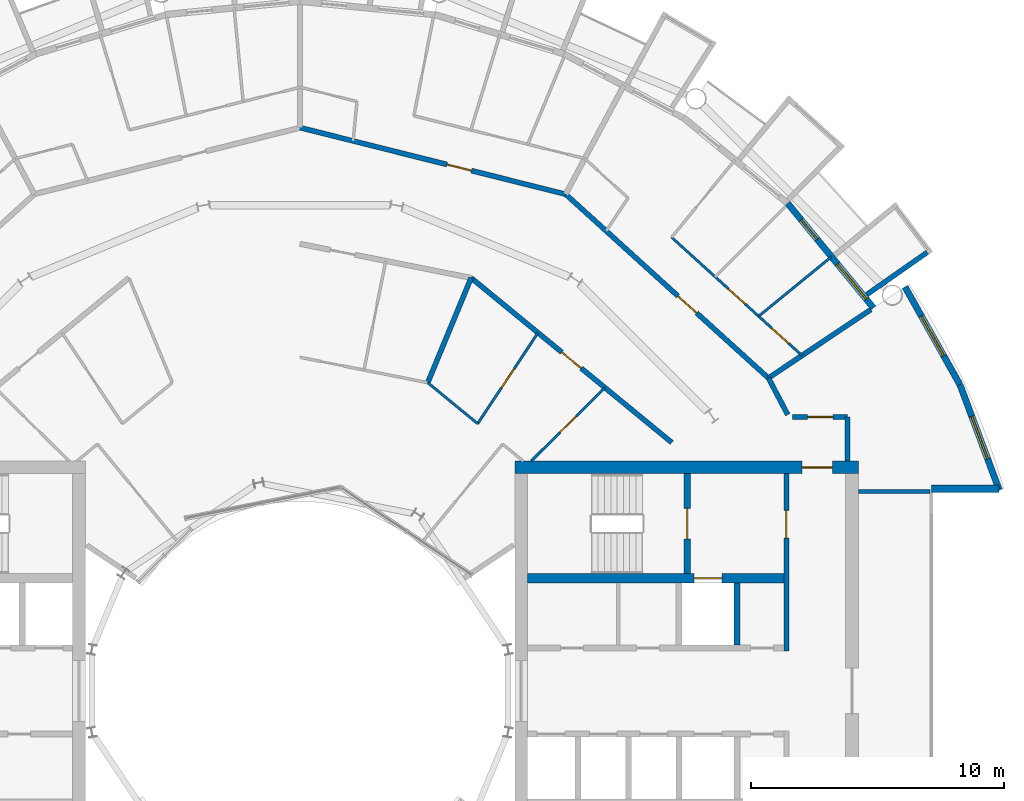
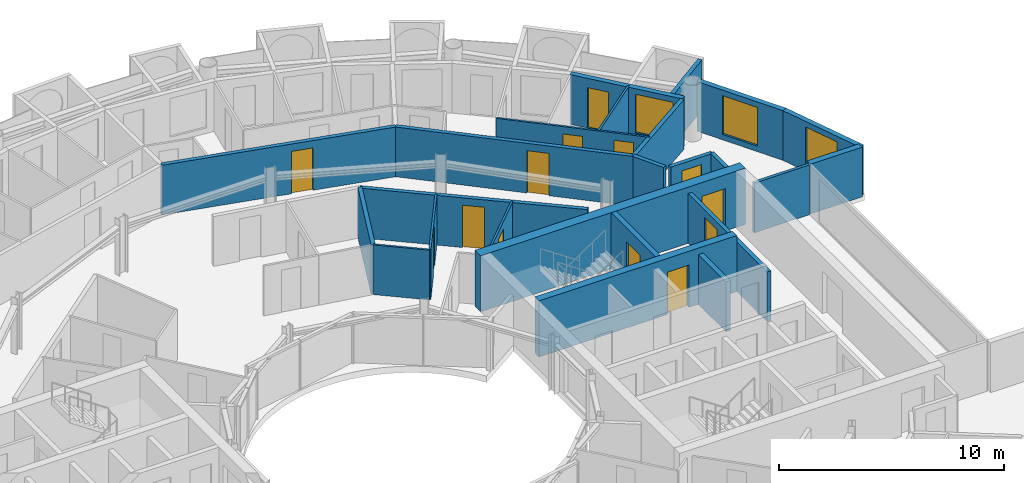
# One storey, part 22 of 27: 24 walls, 13 doors, 3 windows, 16 openings.
"""IFC4 building model written with IfcOpenShell, lengths in metres."""

from ifc_helpers import new_model, si_unit, direction, frame, frame_2d, origin, place, context, subcontext, project, spatial, rectangle, extrude, material, layer, layer_set, type_object, element, fill, save


model = new_model("IFC4")

# Units and contexts
model_context = context("Model", 3, precision=1e-05, world=origin(), true_north=direction((0.0, 1.0)))
body_context = subcontext(model_context, "Body", "Model", "MODEL_VIEW")
ifc_project = project(units=[si_unit("LENGTHUNIT", "METRE"), si_unit("AREAUNIT", "SQUARE_METRE"), si_unit("VOLUMEUNIT", "CUBIC_METRE"), si_unit("PLANEANGLEUNIT", "RADIAN"), si_unit("MASSUNIT", "GRAM", prefix="KILO")], contexts=[model_context])

# Site, building, storey
site_placement = place(None, origin())
site = spatial("IfcSite", under=ifc_project, at=site_placement, CompositionType="ELEMENT")
building_placement = place(site_placement, origin())
building = spatial("IfcBuilding", under=site, at=building_placement, Name="Maasbend Ring Residences", CompositionType="ELEMENT")
storey_placement = place(building_placement, frame((0.0, 0.0, 164.64990234375)))
storey = spatial("IfcBuildingStorey", under=building, at=storey_placement, Name="L47", CompositionType="ELEMENT", Elevation=164.64990234375)

# Wall, opening, door
ifc_material_1 = material(Name="Concrete C60/75", Category="concrete")
ifc_layer_1 = layer(ifc_material_1, 0.25)
ifc_layer_set_1 = layer_set([ifc_layer_1], Name="Concrete C60/75")
wall_type_1 = type_object("IfcWallType", Name="CORE WALL 250 C60/75", PredefinedType="SHEAR", material=ifc_layer_set_1)
wall_1_placement = place(storey_placement, frame((15.324951171875, 4.64990234375, 0.0), z_axis=(0.0, 0.0, 1.0), x_axis=(0.0, 1.0, 0.0)))
wall_1 = element("IfcWall", 1, at=wall_1_placement, inside=storey, type_object=wall_type_1, Name="L47 core E wall STEN", PredefinedType="SHEAR", context=body_context, shape_type="SweptSolid", body=[
    extrude(rectangle(XDim=3.9501953125, YDim=0.25, at=frame_2d((1.97509765625, 0.0))), origin(), (0.0, 0.0, 1.0), 3.050048828125),
])
opening_1_placement = place(wall_1_placement, frame((1.375, 0.0, 0.0)))
opening_1 = element("IfcOpeningElement", 2, at=opening_1_placement, cuts=wall_1, Name="Opening D-E4711", PredefinedType="OPENING", context=body_context, shape_type="SweptSolid", body=[
    extrude(rectangle(XDim=1.199951171875, YDim=2.300048828125, at=frame_2d((0.60009765625, 1.14990234375))), frame((0.0, 0.135009765625, 0.0), z_axis=(0.0, -1.0, 0.0), x_axis=(1.0, 0.0, 0.0)), (0.0, 0.0, 1.0), 0.27001953125),
])
ifc_material_2 = material(Name="Steel, powder coated", Category="steel")
door_type_1 = type_object("IfcDoorType", Name="STAIR DOOR 1200 X 2300 FD60", OperationType="NOTDEFINED", PredefinedType="DOOR", material=ifc_material_2)
door_1_placement = place(opening_1_placement, origin())
door_1 = element("IfcDoor", 3, at=door_1_placement, inside=storey, type_object=door_type_1, Name="Stair door ST-E L47", OperationType="SINGLE_SWING_LEFT", OverallHeight=2.300048828125, OverallWidth=1.199951171875, PredefinedType="DOOR", context=body_context, shape_type="SweptSolid", body=[
    extrude(rectangle(XDim=1.199951171875, YDim=2.300048828125, at=frame_2d((0.60009765625, 1.14990234375))), frame((0.0, 0.02490234375, 0.0), z_axis=(0.0, -1.0, 0.0), x_axis=(1.0, 0.0, 0.0)), (0.0, 0.0, 1.0), 0.050048828125),
])
fill(opening_1, door_1)

ifc_material_3 = material(Name="Concrete C60/75", Category="concrete")
ifc_layer_2 = layer(ifc_material_3, 0.375)
ifc_layer_set_2 = layer_set([ifc_layer_2], Name="Concrete C60/75")
wall_type_2 = type_object("IfcWallType", Name="CORE WALL 375 C60/75", PredefinedType="SHEAR", material=ifc_layer_set_2)
wall_2_placement = place(storey_placement, frame((9.0, 4.46240234375, 0.0), z_axis=(0.0, 0.0, 1.0), x_axis=(1.0, 0.0, 0.0)))
wall_2 = element("IfcWall", 4, at=wall_2_placement, inside=storey, type_object=wall_type_2, Name="L47 core E wall BN", PredefinedType="SHEAR", context=body_context, shape_type="SweptSolid", body=[
    extrude(rectangle(XDim=10.14990234375, YDim=0.375, at=frame_2d((5.074951171875, 0.0))), origin(), (0.0, 0.0, 1.0), 3.050048828125),
])
opening_2_placement = place(wall_2_placement, frame((6.60009765625, 0.0, 0.0)))
opening_2 = element("IfcOpeningElement", 5, at=opening_2_placement, cuts=wall_2, Name="Opening LD-E4701", PredefinedType="OPENING", context=body_context, shape_type="SweptSolid", body=[
    extrude(rectangle(XDim=1.10009765625, YDim=2.300048828125, at=frame_2d((0.550048828125, 1.14990234375))), frame((0.0, 0.197509765625, 0.0), z_axis=(0.0, -1.0, 0.0), x_axis=(1.0, 0.0, 0.0)), (0.0, 0.0, 1.0), 0.39501953125),
])
ifc_material_4 = material(Name="Stainless steel 316", Category="steel")
door_type_2 = type_object("IfcDoorType", Name="LANDING DOOR 1100 X 2300 FD60", OperationType="DOUBLE_DOOR_SLIDING", PredefinedType="DOOR", material=ifc_material_4)
door_2_placement = place(opening_2_placement, origin())
door_2 = element("IfcDoor", 6, at=door_2_placement, inside=storey, type_object=door_type_2, Name="Landing door FF-E L47", OperationType="DOUBLE_DOOR_SLIDING", OverallHeight=2.300048828125, OverallWidth=1.10009765625, PredefinedType="DOOR", context=body_context, shape_type="SweptSolid", body=[
    extrude(rectangle(XDim=1.10009765625, YDim=2.300048828125, at=frame_2d((0.550048828125, 1.14990234375))), frame((0.0, 0.02490234375, 0.0), z_axis=(0.0, -1.0, 0.0), x_axis=(1.0, 0.0, 0.0)), (0.0, 0.0, 1.0), 0.050048828125),
])
fill(opening_2, door_2)

ifc_material_5 = material(Name="Concrete C60/75", Category="concrete")
ifc_layer_3 = layer(ifc_material_5, 0.5)
ifc_layer_set_3 = layer_set([ifc_layer_3], Name="Concrete C60/75")
wall_type_3 = type_object("IfcWallType", Name="CORE WALL 500 C60/75", PredefinedType="SHEAR", material=ifc_layer_set_3)
wall_3_placement = place(storey_placement, frame((22.10009765625, 8.85009765625, 0.0), z_axis=(0.0, 0.0, 1.0), x_axis=(-1.0, 0.0, 0.0)))
wall_3 = element("IfcWall", 7, at=wall_3_placement, inside=storey, type_object=wall_type_3, Name="L47 core E wall PN", PredefinedType="SHEAR", context=body_context, shape_type="SweptSolid", body=[
    extrude(rectangle(XDim=13.60009765625, YDim=0.5, at=frame_2d((6.800048828125, 0.0))), origin(), (0.0, 0.0, 1.0), 3.050048828125),
])
opening_3_placement = place(wall_3_placement, frame((1.02490234375, 0.0, 0.0)))
opening_3 = element("IfcOpeningElement", 8, at=opening_3_placement, cuts=wall_3, Name="Opening D-E4715", PredefinedType="OPENING", context=body_context, shape_type="SweptSolid", body=[
    extrude(rectangle(XDim=1.199951171875, YDim=2.300048828125, at=frame_2d((0.60009765625, 1.14990234375))), frame((0.0, 0.260009765625, 0.0), z_axis=(0.0, -1.0, 0.0), x_axis=(1.0, 0.0, 0.0)), (0.0, 0.0, 1.0), 0.52001953125),
])
ifc_material_6 = material(Name="Steel, powder coated", Category="steel")
door_type_3 = type_object("IfcDoorType", Name="CORRIDOR DOOR 1200 X 2300 FD30S", OperationType="NOTDEFINED", PredefinedType="DOOR", material=ifc_material_6)
door_3_placement = place(opening_3_placement, origin())
door_3 = element("IfcDoor", 9, at=door_3_placement, inside=storey, type_object=door_type_3, Name="Corridor door L47", OperationType="SINGLE_SWING_RIGHT", OverallHeight=2.300048828125, OverallWidth=1.199951171875, PredefinedType="DOOR", context=body_context, shape_type="SweptSolid", body=[
    extrude(rectangle(XDim=1.199951171875, YDim=2.300048828125, at=frame_2d((0.60009765625, 1.14990234375))), frame((0.0, 0.02490234375, 0.0), z_axis=(0.0, -1.0, 0.0), x_axis=(1.0, 0.0, 0.0)), (0.0, 0.0, 1.0), 0.050048828125),
])
fill(opening_3, door_3)

# Wall
ifc_material_7 = material(Name="Concrete C30/37", Category="concrete")
ifc_layer_4 = layer(ifc_material_7, 0.199951171875)
ifc_layer_set_4 = layer_set([ifc_layer_4], Name="Concrete C30/37")
wall_type_4 = type_object("IfcWallType", Name="CORRIDOR WALL 200 CONCRETE", PredefinedType="PARTITIONING", material=ifc_layer_set_4)
wall_4_placement = place(storey_placement, frame((21.675048828125, 9.10009765625, 0.0), z_axis=(0.0, 0.0, 1.0), x_axis=(0.0, 1.0, 0.0)))
element("IfcWall", 10, at=wall_4_placement, inside=storey, type_object=wall_type_4, Name="U-L47-w012", PredefinedType="PARTITIONING", context=body_context, shape_type="SweptSolid", body=[
    extrude(rectangle(XDim=1.75, YDim=0.199951171875, at=frame_2d((0.875, 0.0))), origin(), (0.0, 0.0, 1.0), 2.7001953125),
])

# Wall, opening, door
wall_5_placement = place(storey_placement, frame((19.50390625, 10.85009765625, 0.0), z_axis=(0.0, 0.0, 1.0), x_axis=(1.0, 0.0, 0.0)))
wall_5 = element("IfcWall", 11, at=wall_5_placement, inside=storey, type_object=wall_type_4, Name="U-L47-w095", PredefinedType="PARTITIONING", context=body_context, shape_type="SweptSolid", body=[
    extrude(rectangle(XDim=2.171142578125, YDim=0.199951171875, at=frame_2d((1.08544921875, 0.0))), origin(), (0.0, 0.0, 1.0), 2.7001953125),
])
opening_4_placement = place(wall_5_placement, frame((0.5849609375, 0.0, 0.0)))
opening_4 = element("IfcOpeningElement", 12, at=opening_4_placement, cuts=wall_5, Name="Opening D-4769", PredefinedType="OPENING", context=body_context, shape_type="SweptSolid", body=[
    extrude(rectangle(XDim=1.0, YDim=2.300048828125, at=frame_2d((0.5, 1.14990234375))), frame((0.0, 0.10986328125, 0.0), z_axis=(0.0, -1.0, 0.0), x_axis=(1.0, 0.0, 0.0)), (0.0, 0.0, 1.0), 0.219970703125),
])
ifc_material_8 = material(Name="Timber, painted", Category="wood")
door_type_4 = type_object("IfcDoorType", Name="ROOM DOOR 1000 X 2300", OperationType="NOTDEFINED", PredefinedType="DOOR", material=ifc_material_8)
door_4_placement = place(opening_4_placement, origin())
door_4 = element("IfcDoor", 13, at=door_4_placement, inside=storey, type_object=door_type_4, Name="D-4769", OperationType="SINGLE_SWING_LEFT", OverallHeight=2.300048828125, OverallWidth=1.0, PredefinedType="DOOR", context=body_context, shape_type="SweptSolid", body=[
    extrude(rectangle(XDim=1.0, YDim=2.300048828125, at=frame_2d((0.5, 1.14990234375))), frame((0.0, 0.02490234375, 0.0), z_axis=(0.0, -1.0, 0.0), x_axis=(1.0, 0.0, 0.0)), (0.0, 0.0, 1.0), 0.050048828125),
])
fill(opening_4, door_4)

wall_6_placement = place(storey_placement, frame((6.77294921875, 16.35302734375, 0.0), z_axis=(0.0, 0.0, 1.0), x_axis=(0.773034536097, -0.634363938131, 0.0)))
wall_6 = element("IfcWall", 14, at=wall_6_placement, inside=storey, type_object=wall_type_4, Name="U-L47-w102", PredefinedType="PARTITIONING", context=body_context, shape_type="SweptSolid", body=[
    extrude(rectangle(XDim=10.276611328125, YDim=0.199951171875, at=frame_2d((5.13818359375, 0.0))), origin(), (0.0, 0.0, 1.0), 2.7001953125),
])
opening_5_placement = place(wall_6_placement, frame((4.637939453125, 0.0, 0.0)))
opening_5 = element("IfcOpeningElement", 15, at=opening_5_placement, cuts=wall_6, Name="Opening D-4721", PredefinedType="OPENING", context=body_context, shape_type="SweptSolid", body=[
    extrude(rectangle(XDim=1.0, YDim=2.300048828125, at=frame_2d((0.5, 1.14990234375))), frame((0.0, 0.10986328125, 0.0), z_axis=(0.0, -1.0, 0.0), x_axis=(1.0, 0.0, 0.0)), (0.0, 0.0, 1.0), 0.219970703125),
])
ifc_material_9 = material(Name="Timber, fire-rated, painted", Category="wood")
door_type_5 = type_object("IfcDoorType", Name="FLAT ENTRANCE DOOR 1000 X 2300 FIRE-RATED", OperationType="NOTDEFINED", PredefinedType="DOOR", material=ifc_material_9)
door_5_placement = place(opening_5_placement, origin())
door_5 = element("IfcDoor", 16, at=door_5_placement, inside=storey, type_object=door_type_5, Name="D-4721", OperationType="SINGLE_SWING_RIGHT", OverallHeight=2.300048828125, OverallWidth=1.0, PredefinedType="DOOR", context=body_context, shape_type="SweptSolid", body=[
    extrude(rectangle(XDim=1.0, YDim=2.300048828125, at=frame_2d((0.5, 1.14990234375))), frame((0.0, 0.02490234375, 0.0), z_axis=(0.0, -1.0, 0.0), x_axis=(1.0, 0.0, 0.0)), (0.0, 0.0, 1.0), 0.050048828125),
])
fill(opening_5, door_5)

wall_7_placement = place(storey_placement, frame((0.0, 22.300048828125, 0.0), z_axis=(0.0, 0.0, 1.0), x_axis=(0.969975381822, -0.243203122222, 0.0)))
wall_7 = element("IfcWall", 17, at=wall_7_placement, inside=storey, type_object=wall_type_4, Name="U-L47-w106", PredefinedType="PARTITIONING", context=body_context, shape_type="SweptSolid", body=[
    extrude(rectangle(XDim=10.842529296875, YDim=0.199951171875, at=frame_2d((5.42138671875, 0.0))), origin(), (0.0, 0.0, 1.0), 2.7001953125),
])
opening_6_placement = place(wall_7_placement, frame((6.001953125, 0.0, 0.0)))
opening_6 = element("IfcOpeningElement", 18, at=opening_6_placement, cuts=wall_7, Name="Opening D-4706", PredefinedType="OPENING", context=body_context, shape_type="SweptSolid", body=[
    extrude(rectangle(XDim=1.0, YDim=2.300048828125, at=frame_2d((0.5, 1.14990234375))), frame((0.0, 0.10986328125, 0.0), z_axis=(0.0, -1.0, 0.0), x_axis=(1.0, 0.0, 0.0)), (0.0, 0.0, 1.0), 0.219970703125),
])
door_6_placement = place(opening_6_placement, origin())
door_6 = element("IfcDoor", 19, at=door_6_placement, inside=storey, type_object=door_type_5, Name="D-4706", OperationType="SINGLE_SWING_RIGHT", OverallHeight=2.300048828125, OverallWidth=1.0, PredefinedType="DOOR", context=body_context, shape_type="SweptSolid", body=[
    extrude(rectangle(XDim=1.0, YDim=2.300048828125, at=frame_2d((0.5, 1.14990234375))), frame((0.0, 0.02490234375, 0.0), z_axis=(0.0, -1.0, 0.0), x_axis=(1.0, 0.0, 0.0)), (0.0, 0.0, 1.0), 0.050048828125),
])
fill(opening_6, door_6)

wall_8_placement = place(storey_placement, frame((10.511962890625, 19.6669921875, 0.0), z_axis=(0.0, 0.0, 1.0), x_axis=(0.740849323054, -0.67167125927, 0.0)))
wall_8 = element("IfcWall", 20, at=wall_8_placement, inside=storey, type_object=wall_type_4, Name="U-L47-w107", PredefinedType="PARTITIONING", context=body_context, shape_type="SweptSolid", body=[
    extrude(rectangle(XDim=10.841552734375, YDim=0.199951171875, at=frame_2d((5.4208984375, 0.0))), origin(), (0.0, 0.0, 1.0), 2.7001953125),
])
opening_7_placement = place(wall_8_placement, frame((6.0029296875, 0.0, 0.0)))
opening_7 = element("IfcOpeningElement", 21, at=opening_7_placement, cuts=wall_8, Name="Opening D-4701", PredefinedType="OPENING", context=body_context, shape_type="SweptSolid", body=[
    extrude(rectangle(XDim=1.0, YDim=2.300048828125, at=frame_2d((0.5, 1.14990234375))), frame((0.0, 0.10986328125, 0.0), z_axis=(0.0, -1.0, 0.0), x_axis=(1.0, 0.0, 0.0)), (0.0, 0.0, 1.0), 0.219970703125),
])
door_7_placement = place(opening_7_placement, origin())
door_7 = element("IfcDoor", 22, at=door_7_placement, inside=storey, type_object=door_type_5, Name="D-4701", OperationType="SINGLE_SWING_RIGHT", OverallHeight=2.300048828125, OverallWidth=1.0, PredefinedType="DOOR", context=body_context, shape_type="SweptSolid", body=[
    extrude(rectangle(XDim=1.0, YDim=2.300048828125, at=frame_2d((0.5, 1.14990234375))), frame((0.0, 0.02490234375, 0.0), z_axis=(0.0, -1.0, 0.0), x_axis=(1.0, 0.0, 0.0)), (0.0, 0.0, 1.0), 0.050048828125),
])
fill(opening_7, door_7)

# Walls
wall_9_placement = place(storey_placement, frame((18.5419921875, 12.388916015625, 0.0), z_axis=(0.0, 0.0, 1.0), x_axis=(0.465605550524, -0.884992356646, 0.0)))
element("IfcWall", 23, at=wall_9_placement, inside=storey, type_object=wall_type_4, Name="U-L47-w111", PredefinedType="PARTITIONING", context=body_context, shape_type="SweptSolid", body=[
    extrude(rectangle(XDim=1.642822265625, YDim=0.199951171875, at=frame_2d((0.8212890625, 0.0))), origin(), (0.0, 0.0, 1.0), 2.7001953125),
])
ifc_material_10 = material(Name="Pale anodised aluminium panel", Category="aluminium")
ifc_layer_5 = layer(ifc_material_10, 0.199951171875)
ifc_layer_set_5 = layer_set([ifc_layer_5], Name="EW-BOX")
wall_type_5 = type_object("IfcWallType", Name="EW-BOX", PredefinedType="SOLIDWALL", material=ifc_layer_set_5)
wall_10_placement = place(storey_placement, frame((22.43310546875, 15.68798828125, -0.02978515625), z_axis=(0.0, 0.0, 1.0), x_axis=(0.819373043115, 0.573260687834, 0.0)))
element("IfcWall", 24, at=wall_10_placement, inside=storey, type_object=wall_type_5, Name="Box side wall N01 left", PredefinedType="SOLIDWALL", context=body_context, shape_type="SweptSolid", body=[
    extrude(rectangle(XDim=2.92529296875, YDim=0.199951171875, at=frame_2d((1.462646484375, 0.0))), origin(), (0.0, 0.0, 1.0), 2.72998046875),
])

# Wall, openings, door, window
ifc_material_11 = material(Name="Aluminium clad insulated panel", Category="aluminium")
ifc_layer_6 = layer(ifc_material_11, 0.25)
ifc_layer_set_6 = layer_set([ifc_layer_6], Name="EW-GL")
wall_type_6 = type_object("IfcWallType", Name="EW-GL", PredefinedType="SOLIDWALL", material=ifc_layer_set_6)
wall_11_placement = place(storey_placement, frame((22.698974609375, 15.1669921875, 0.0), z_axis=(0.0, 0.0, 1.0), x_axis=(-0.634382322723, 0.773019449054, 0.0)))
wall_11 = element("IfcWall", 25, at=wall_11_placement, inside=storey, type_object=wall_type_6, Name="External wall N01", PredefinedType="SOLIDWALL", context=body_context, shape_type="SweptSolid", body=[
    extrude(rectangle(XDim=5.351806640625, YDim=0.25, at=frame_2d((2.67578125, 0.0))), origin(), (0.0, 0.0, 1.0), 2.7001953125),
])
opening_8_placement = place(wall_11_placement, frame((0.441162109375, 0.0, 0.300048828125)))
opening_8 = element("IfcOpeningElement", 26, at=opening_8_placement, cuts=wall_11, Name="Opening W-BX", PredefinedType="OPENING", context=body_context, shape_type="SweptSolid", body=[
    extrude(rectangle(XDim=1.800048828125, YDim=2.10009765625, at=frame_2d((0.89990234375, 1.050048828125))), frame((0.0, 0.135009765625, 0.0), z_axis=(0.0, -1.0, 0.0), x_axis=(1.0, 0.0, 0.0)), (0.0, 0.0, 1.0), 0.27001953125),
])
opening_9_placement = place(wall_11_placement, frame((3.510498046875, 0.0, 0.0)))
opening_9 = element("IfcOpeningElement", 27, at=opening_9_placement, cuts=wall_11, Name="Opening D-LG", PredefinedType="OPENING", context=body_context, shape_type="SweptSolid", body=[
    extrude(rectangle(XDim=1.0, YDim=2.199951171875, at=frame_2d((0.5, 1.10009765625))), frame((0.0, 0.135009765625, 0.0), z_axis=(0.0, -1.0, 0.0), x_axis=(1.0, 0.0, 0.0)), (0.0, 0.0, 1.0), 0.27001953125),
])
ifc_material_12 = material(Name="Aluminium and clear glass", Category="aluminium")
door_type_6 = type_object("IfcDoorType", Name="D-LG", OperationType="SINGLE_SWING_LEFT", PredefinedType="DOOR", material=ifc_material_12)
door_8_placement = place(opening_9_placement, origin())
door_8 = element("IfcDoor", 28, at=door_8_placement, inside=storey, type_object=door_type_6, Name="Loggia door N02", OperationType="SINGLE_SWING_LEFT", OverallHeight=2.199951171875, OverallWidth=1.0, PredefinedType="DOOR", context=body_context, shape_type="SweptSolid", body=[
    extrude(rectangle(XDim=1.0, YDim=2.199951171875, at=frame_2d((0.5, 1.10009765625))), frame((0.0, 0.02490234375, 0.0), z_axis=(0.0, -1.0, 0.0), x_axis=(1.0, 0.0, 0.0)), (0.0, 0.0, 1.0), 0.050048828125),
])
fill(opening_9, door_8)
ifc_material_13 = material(Name="Aluminium and clear glass", Category="aluminium")
window_type = type_object("IfcWindowType", Name="W-BX", PartitioningType="DOUBLE_PANEL_VERTICAL", PredefinedType="WINDOW", material=ifc_material_13)
window_1_placement = place(opening_8_placement, origin())
window_1 = element("IfcWindow", 29, at=window_1_placement, inside=storey, type_object=window_type, Name="Window N01 room to box", OverallHeight=2.10009765625, OverallWidth=1.800048828125, PartitioningType="SINGLE_PANEL", PredefinedType="WINDOW", context=body_context, shape_type="SweptSolid", body=[
    extrude(rectangle(XDim=1.800048828125, YDim=2.10009765625, at=frame_2d((0.89990234375, 1.050048828125))), frame((0.0, 0.030029296875, 0.0), z_axis=(0.0, -1.0, 0.0), x_axis=(1.0, 0.0, 0.0)), (0.0, 0.0, 1.0), 0.06005859375),
])
fill(opening_8, window_1)

# Wall, opening, window
ifc_material_14 = material(Name="Aluminium clad insulated panel", Category="aluminium")
ifc_layer_7 = layer(ifc_material_14, 0.25)
ifc_layer_set_7 = layer_set([ifc_layer_7], Name="EW-HORN")
wall_type_7 = type_object("IfcWallType", Name="EW-HORN", PredefinedType="SOLIDWALL", material=ifc_layer_set_7)
wall_12_placement = place(storey_placement, frame((27.681884765625, 7.945068359375, 0.0), z_axis=(0.0, 0.0, 1.0), x_axis=(-0.349247811493, 0.937030397675, 0.0)))
wall_12 = element("IfcWall", 30, at=wall_12_placement, inside=storey, type_object=wall_type_7, Name="Horn wall 1.1", PredefinedType="SOLIDWALL", context=body_context, shape_type="SweptSolid", body=[
    extrude(rectangle(XDim=4.4521484375, YDim=0.25, at=frame_2d((2.22607421875, 0.0))), origin(), (0.0, 0.0, 1.0), 2.7001953125),
])
opening_10_placement = place(wall_12_placement, frame((1.32666015625, 0.0, 0.300048828125)))
opening_10 = element("IfcOpeningElement", 31, at=opening_10_placement, cuts=wall_12, Name="Opening W-BX", PredefinedType="OPENING", context=body_context, shape_type="SweptSolid", body=[
    extrude(rectangle(XDim=1.800048828125, YDim=2.10009765625, at=frame_2d((0.89990234375, 1.050048828125))), frame((0.0, 0.135009765625, 0.0), z_axis=(0.0, -1.0, 0.0), x_axis=(1.0, 0.0, 0.0)), (0.0, 0.0, 1.0), 0.27001953125),
])
window_2_placement = place(opening_10_placement, origin())
window_2 = element("IfcWindow", 32, at=window_2_placement, inside=storey, type_object=window_type, Name="Horn window 1.1", OverallHeight=2.10009765625, OverallWidth=1.800048828125, PartitioningType="SINGLE_PANEL", PredefinedType="WINDOW", context=body_context, shape_type="SweptSolid", body=[
    extrude(rectangle(XDim=1.800048828125, YDim=2.10009765625, at=frame_2d((0.89990234375, 1.050048828125))), frame((0.0, 0.030029296875, 0.0), z_axis=(0.0, -1.0, 0.0), x_axis=(1.0, 0.0, 0.0)), (0.0, 0.0, 1.0), 0.06005859375),
])
fill(opening_10, window_2)

wall_13_placement = place(storey_placement, frame((26.126953125, 12.116943359375, 0.0), z_axis=(0.0, 0.0, 1.0), x_axis=(-0.489696356642, 0.871893042919, 0.0)))
wall_13 = element("IfcWall", 33, at=wall_13_placement, inside=storey, type_object=wall_type_7, Name="Horn wall 1.2", PredefinedType="SOLIDWALL", context=body_context, shape_type="SweptSolid", body=[
    extrude(rectangle(XDim=4.45361328125, YDim=0.25, at=frame_2d((2.226806640625, 0.0))), origin(), (0.0, 0.0, 1.0), 2.7001953125),
])
opening_11_placement = place(wall_13_placement, frame((1.32666015625, 0.0, 0.300048828125)))
opening_11 = element("IfcOpeningElement", 34, at=opening_11_placement, cuts=wall_13, Name="Opening W-BX", PredefinedType="OPENING", context=body_context, shape_type="SweptSolid", body=[
    extrude(rectangle(XDim=1.800048828125, YDim=2.10009765625, at=frame_2d((0.89990234375, 1.050048828125))), frame((0.0, 0.135009765625, 0.0), z_axis=(0.0, -1.0, 0.0), x_axis=(1.0, 0.0, 0.0)), (0.0, 0.0, 1.0), 0.27001953125),
])
window_3_placement = place(opening_11_placement, origin())
window_3 = element("IfcWindow", 35, at=window_3_placement, inside=storey, type_object=window_type, Name="Horn window 1.2", OverallHeight=2.10009765625, OverallWidth=1.800048828125, PartitioningType="SINGLE_PANEL", PredefinedType="WINDOW", context=body_context, shape_type="SweptSolid", body=[
    extrude(rectangle(XDim=1.800048828125, YDim=2.10009765625, at=frame_2d((0.89990234375, 1.050048828125))), frame((0.0, 0.030029296875, 0.0), z_axis=(0.0, -1.0, 0.0), x_axis=(1.0, 0.0, 0.0)), (0.0, 0.0, 1.0), 0.06005859375),
])
fill(opening_11, window_3)

# Wall
ifc_material_15 = material(Name="Aluminium clad insulated panel", Category="aluminium")
ifc_layer_8 = layer(ifc_material_15, 0.300048828125)
ifc_layer_set_8 = layer_set([ifc_layer_8], Name="EW-RET")
wall_type_8 = type_object("IfcWallType", Name="EW-RET", PredefinedType="SOLIDWALL", material=ifc_layer_set_8)
wall_14_placement = place(storey_placement, frame((25.0, 8.0, 0.0), z_axis=(0.0, 0.0, 1.0), x_axis=(1.0, 0.0, 0.0)))
element("IfcWall", 36, at=wall_14_placement, inside=storey, type_object=wall_type_8, Name="Notch return wall east north", PredefinedType="SOLIDWALL", context=body_context, shape_type="SweptSolid", body=[
    extrude(rectangle(XDim=2.6669921875, YDim=0.300048828125, at=frame_2d((1.33349609375, 0.0))), origin(), (0.0, 0.0, 1.0), 2.7001953125),
])

# Wall, opening, door
ifc_material_16 = material(Name="Gypsum board on steel studs", Category="steel")
ifc_layer_9 = layer(ifc_material_16, 0.10009765625)
ifc_layer_set_9 = layer_set([ifc_layer_9], Name="PARTITION 100 GYPSUM")
wall_type_9 = type_object("IfcWallType", Name="PARTITION 100 GYPSUM", PredefinedType="PARTITIONING", material=ifc_layer_set_9)
wall_15_placement = place(storey_placement, frame((7.031005859375, 10.58203125, 0.0), z_axis=(0.0, 0.0, 1.0), x_axis=(0.553303732327, 0.832979579457, 0.0)))
wall_15 = element("IfcWall", 37, at=wall_15_placement, inside=storey, type_object=wall_type_9, Name="U-L47-w074", PredefinedType="PARTITIONING", context=body_context, shape_type="SweptSolid", body=[
    extrude(rectangle(XDim=4.3193359375, YDim=0.10009765625, at=frame_2d((2.15966796875, 0.0))), origin(), (0.0, 0.0, 1.0), 2.7001953125),
])
opening_12_placement = place(wall_15_placement, frame((1.7099609375, 0.0, 0.0)))
opening_12 = element("IfcOpeningElement", 38, at=opening_12_placement, cuts=wall_15, Name="Opening D-4722", PredefinedType="OPENING", context=body_context, shape_type="SweptSolid", body=[
    extrude(rectangle(XDim=0.89990234375, YDim=2.300048828125, at=frame_2d((0.449951171875, 1.14990234375))), frame((0.0, 0.06005859375, 0.0), z_axis=(0.0, -1.0, 0.0), x_axis=(1.0, 0.0, 0.0)), (0.0, 0.0, 1.0), 0.1201171875),
])
ifc_material_17 = material(Name="Timber, painted", Category="wood")
door_type_7 = type_object("IfcDoorType", Name="INTERNAL DOOR 900 X 2300", OperationType="NOTDEFINED", PredefinedType="DOOR", material=ifc_material_17)
door_9_placement = place(opening_12_placement, origin())
door_9 = element("IfcDoor", 39, at=door_9_placement, inside=storey, type_object=door_type_7, Name="D-4722", OperationType="SINGLE_SWING_LEFT", OverallHeight=2.300048828125, OverallWidth=0.89990234375, PredefinedType="DOOR", context=body_context, shape_type="SweptSolid", body=[
    extrude(rectangle(XDim=0.89990234375, YDim=2.300048828125, at=frame_2d((0.449951171875, 1.14990234375))), frame((0.0, 0.02490234375, 0.0), z_axis=(0.0, -1.0, 0.0), x_axis=(1.0, 0.0, 0.0)), (0.0, 0.0, 1.0), 0.050048828125),
])
fill(opening_12, door_9)

wall_16_placement = place(storey_placement, frame((9.14794921875, 9.10009765625, 0.0), z_axis=(0.0, 0.0, 1.0), x_axis=(0.708822693149, 0.705386695138, 0.0)))
wall_16 = element("IfcWall", 40, at=wall_16_placement, inside=storey, type_object=wall_type_9, Name="U-L47-w078", PredefinedType="PARTITIONING", context=body_context, shape_type="SweptSolid", body=[
    extrude(rectangle(XDim=4.12109375, YDim=0.10009765625, at=frame_2d((2.060546875, 0.0))), origin(), (0.0, 0.0, 1.0), 2.7001953125),
])
opening_13_placement = place(wall_16_placement, frame((1.611083984375, 0.0, 0.0)))
opening_13 = element("IfcOpeningElement", 41, at=opening_13_placement, cuts=wall_16, Name="Opening D-4723", PredefinedType="OPENING", context=body_context, shape_type="SweptSolid", body=[
    extrude(rectangle(XDim=0.89990234375, YDim=2.300048828125, at=frame_2d((0.449951171875, 1.14990234375))), frame((0.0, 0.06005859375, 0.0), z_axis=(0.0, -1.0, 0.0), x_axis=(1.0, 0.0, 0.0)), (0.0, 0.0, 1.0), 0.1201171875),
])
door_10_placement = place(opening_13_placement, origin())
door_10 = element("IfcDoor", 42, at=door_10_placement, inside=storey, type_object=door_type_7, Name="D-4723", OperationType="SINGLE_SWING_LEFT", OverallHeight=2.300048828125, OverallWidth=0.89990234375, PredefinedType="DOOR", context=body_context, shape_type="SweptSolid", body=[
    extrude(rectangle(XDim=0.89990234375, YDim=2.300048828125, at=frame_2d((0.449951171875, 1.14990234375))), frame((0.0, 0.02490234375, 0.0), z_axis=(0.0, -1.0, 0.0), x_axis=(1.0, 0.0, 0.0)), (0.0, 0.0, 1.0), 0.050048828125),
])
fill(opening_13, door_10)

# Walls
wall_17_placement = place(storey_placement, frame((18.154052734375, 14.833984375, 0.0), z_axis=(0.0, 0.0, 1.0), x_axis=(0.77429537896, 0.632824356454, 0.0)))
element("IfcWall", 43, at=wall_17_placement, inside=storey, type_object=wall_type_9, Name="U-L47-w088", PredefinedType="PARTITIONING", context=body_context, shape_type="SweptSolid", body=[
    extrude(rectangle(XDim=3.73095703125, YDim=0.10009765625, at=frame_2d((1.865478515625, 0.0))), origin(), (0.0, 0.0, 1.0), 2.7001953125),
])
wall_18_placement = place(storey_placement, frame((5.05810546875, 12.202880859375, 0.0), z_axis=(0.0, 0.0, 1.0), x_axis=(0.772764723682, -0.634692588449, 0.0)))
element("IfcWall", 44, at=wall_18_placement, inside=storey, type_object=wall_type_9, Name="U-L47-w098", PredefinedType="PARTITIONING", context=body_context, shape_type="SweptSolid", body=[
    extrude(rectangle(XDim=2.556884765625, YDim=0.10009765625, at=frame_2d((1.2783203125, 0.0))), origin(), (0.0, 0.0, 1.0), 2.7001953125),
])

# Wall, openings, doors
wall_19_placement = place(storey_placement, frame((14.708984375, 17.9580078125, 0.0), z_axis=(0.0, 0.0, 1.0), x_axis=(0.740923753351, -0.671589153962, 0.0)))
wall_19 = element("IfcWall", 45, at=wall_19_placement, inside=storey, type_object=wall_type_9, Name="U-L47-w119", PredefinedType="PARTITIONING", context=body_context, shape_type="SweptSolid", body=[
    extrude(rectangle(XDim=6.968505859375, YDim=0.10009765625, at=frame_2d((3.484375, 0.0))), origin(), (0.0, 0.0, 1.0), 2.7001953125),
])
opening_14_placement = place(wall_19_placement, frame((3.033935546875, 0.0, 0.0)))
opening_14 = element("IfcOpeningElement", 46, at=opening_14_placement, cuts=wall_19, Name="Opening D-4704", PredefinedType="OPENING", context=body_context, shape_type="SweptSolid", body=[
    extrude(rectangle(XDim=0.89990234375, YDim=2.300048828125, at=frame_2d((0.449951171875, 1.14990234375))), frame((0.0, 0.06005859375, 0.0), z_axis=(0.0, -1.0, 0.0), x_axis=(1.0, 0.0, 0.0)), (0.0, 0.0, 1.0), 0.1201171875),
])
opening_15_placement = place(wall_19_placement, frame((5.35693359375, 0.0, 0.0)))
opening_15 = element("IfcOpeningElement", 47, at=opening_15_placement, cuts=wall_19, Name="Opening D-4705", PredefinedType="OPENING", context=body_context, shape_type="SweptSolid", body=[
    extrude(rectangle(XDim=0.89990234375, YDim=2.300048828125, at=frame_2d((0.449951171875, 1.14990234375))), frame((0.0, 0.06005859375, 0.0), z_axis=(0.0, -1.0, 0.0), x_axis=(1.0, 0.0, 0.0)), (0.0, 0.0, 1.0), 0.1201171875),
])
door_11_placement = place(opening_14_placement, origin())
door_11 = element("IfcDoor", 48, at=door_11_placement, inside=storey, type_object=door_type_7, Name="D-4704", OperationType="SINGLE_SWING_LEFT", OverallHeight=2.300048828125, OverallWidth=0.89990234375, PredefinedType="DOOR", context=body_context, shape_type="SweptSolid", body=[
    extrude(rectangle(XDim=0.89990234375, YDim=2.300048828125, at=frame_2d((0.449951171875, 1.14990234375))), frame((0.0, 0.02490234375, 0.0), z_axis=(0.0, -1.0, 0.0), x_axis=(1.0, 0.0, 0.0)), (0.0, 0.0, 1.0), 0.050048828125),
])
fill(opening_14, door_11)
door_12_placement = place(opening_15_placement, origin())
door_12 = element("IfcDoor", 49, at=door_12_placement, inside=storey, type_object=door_type_7, Name="D-4705", OperationType="SINGLE_SWING_RIGHT", OverallHeight=2.300048828125, OverallWidth=0.89990234375, PredefinedType="DOOR", context=body_context, shape_type="SweptSolid", body=[
    extrude(rectangle(XDim=0.89990234375, YDim=2.300048828125, at=frame_2d((0.449951171875, 1.14990234375))), frame((0.0, 0.02490234375, 0.0), z_axis=(0.0, -1.0, 0.0), x_axis=(1.0, 0.0, 0.0)), (0.0, 0.0, 1.0), 0.050048828125),
])
fill(opening_15, door_12)

# Walls
ifc_material_18 = material(Name="Gypsum board on steel studs", Category="steel")
ifc_layer_10 = layer(ifc_material_18, 0.14990234375)
ifc_layer_set_10 = layer_set([ifc_layer_10], Name="PARTITION 150 EI 60")
wall_type_10 = type_object("IfcWallType", Name="PARTITION 150 EI 60", PredefinedType="PARTITIONING", material=ifc_layer_set_10)
wall_20_placement = place(storey_placement, frame((22.10009765625, 7.89990234375, 0.0), z_axis=(0.0, 0.0, 1.0), x_axis=(1.0, 0.0, 0.0)))
element("IfcWall", 50, at=wall_20_placement, inside=storey, type_object=wall_type_10, Name="L47 core E wall CITN", PredefinedType="PARTITIONING", context=body_context, shape_type="SweptSolid", body=[
    extrude(rectangle(XDim=2.83984375, YDim=0.14990234375, at=frame_2d((1.419921875, 0.0))), origin(), (0.0, 0.0, 1.0), 2.7001953125),
])
ifc_material_19 = material(Name="Concrete C30/37", Category="concrete")
ifc_layer_11 = layer(ifc_material_19, 0.199951171875)
ifc_layer_set_11 = layer_set([ifc_layer_11], Name="Concrete C30/37")
wall_type_11 = type_object("IfcWallType", Name="PARTY WALL 200 CONCRETE", PredefinedType="PARTITIONING", material=ifc_layer_set_11)
wall_21_placement = place(storey_placement, frame((5.054931640625, 12.2041015625, 0.0), z_axis=(0.0, 0.0, 1.0), x_axis=(0.38258387732, 0.923920763277, 0.0)))
element("IfcWall", 51, at=wall_21_placement, inside=storey, type_object=wall_type_11, Name="U-L47-w071", PredefinedType="PARTITIONING", context=body_context, shape_type="SweptSolid", body=[
    extrude(rectangle(XDim=4.490478515625, YDim=0.199951171875, at=frame_2d((2.2451171875, 0.0))), origin(), (0.0, 0.0, 1.0), 2.7001953125),
])
wall_22_placement = place(storey_placement, frame((18.5419921875, 12.388916015625, 0.0), z_axis=(0.0, 0.0, 1.0), x_axis=(0.831387096605, 0.55569370664, 0.0)))
element("IfcWall", 52, at=wall_22_placement, inside=storey, type_object=wall_type_11, Name="U-L47-w090", PredefinedType="PARTITIONING", context=body_context, shape_type="SweptSolid", body=[
    extrude(rectangle(XDim=4.875, YDim=0.199951171875, at=frame_2d((2.4375, 0.0))), origin(), (0.0, 0.0, 1.0), 2.7001953125),
])

# Wall, opening, door
ifc_material_20 = material(Name="Concrete C30/37", Category="concrete")
ifc_layer_12 = layer(ifc_material_20, 0.199951171875)
ifc_layer_set_12 = layer_set([ifc_layer_12], Name="Concrete C30/37")
wall_type_12 = type_object("IfcWallType", Name="SHAFT WALL 200 EI 120", PredefinedType="SOLIDWALL", material=ifc_layer_set_12)
wall_23_placement = place(storey_placement, frame((19.25, 1.574951171875, 0.0), z_axis=(0.0, 0.0, 1.0), x_axis=(0.0, 1.0, 0.0)))
wall_23 = element("IfcWall", 53, at=wall_23_placement, inside=storey, type_object=wall_type_12, Name="L47 core E wall ENDN", PredefinedType="SOLIDWALL", context=body_context, shape_type="SweptSolid", body=[
    extrude(rectangle(XDim=7.025146484375, YDim=0.199951171875, at=frame_2d((3.5126953125, 0.0))), origin(), (0.0, 0.0, 1.0), 2.7001953125),
])
opening_16_placement = place(wall_23_placement, frame((4.47509765625, 0.0, 0.0)))
opening_16 = element("IfcOpeningElement", 54, at=opening_16_placement, cuts=wall_23, Name="Opening D-E4713", PredefinedType="OPENING", context=body_context, shape_type="SweptSolid", body=[
    extrude(rectangle(XDim=1.10009765625, YDim=2.300048828125, at=frame_2d((0.550048828125, 1.14990234375))), frame((0.0, 0.10986328125, 0.0), z_axis=(0.0, -1.0, 0.0), x_axis=(1.0, 0.0, 0.0)), (0.0, 0.0, 1.0), 0.219970703125),
])
ifc_material_21 = material(Name="Steel, powder coated", Category="steel")
door_type_8 = type_object("IfcDoorType", Name="LOBBY DOOR 1100 X 2300 FD60", OperationType="NOTDEFINED", PredefinedType="DOOR", material=ifc_material_21)
door_13_placement = place(opening_16_placement, origin())
door_13 = element("IfcDoor", 55, at=door_13_placement, inside=storey, type_object=door_type_8, Name="Lobby door L47", OperationType="SINGLE_SWING_LEFT", OverallHeight=2.300048828125, OverallWidth=1.10009765625, PredefinedType="DOOR", context=body_context, shape_type="SweptSolid", body=[
    extrude(rectangle(XDim=1.10009765625, YDim=2.300048828125, at=frame_2d((0.550048828125, 1.14990234375))), frame((0.0, 0.02490234375, 0.0), z_axis=(0.0, -1.0, 0.0), x_axis=(1.0, 0.0, 0.0)), (0.0, 0.0, 1.0), 0.050048828125),
])
fill(opening_16, door_13)

# Wall
ifc_material_22 = material(Name="Concrete C30/37", Category="concrete")
ifc_layer_13 = layer(ifc_material_22, 0.25)
ifc_layer_set_13 = layer_set([ifc_layer_13], Name="Concrete C30/37")
wall_type_13 = type_object("IfcWallType", Name="SHAFT WALL 250 EI 120", PredefinedType="SOLIDWALL", material=ifc_layer_set_13)
wall_24_placement = place(storey_placement, frame((17.300048828125, 1.824951171875, 0.0), z_axis=(0.0, 0.0, 1.0), x_axis=(0.0, 1.0, 0.0)))
element("IfcWall", 56, at=wall_24_placement, inside=storey, type_object=wall_type_13, Name="L47 core E wall D173N", PredefinedType="SOLIDWALL", context=body_context, shape_type="SweptSolid", body=[
    extrude(rectangle(XDim=2.449951171875, YDim=0.25, at=frame_2d((1.22509765625, 0.0))), origin(), (0.0, 0.0, 1.0), 2.7001953125),
])

save(model, "model.ifc")
